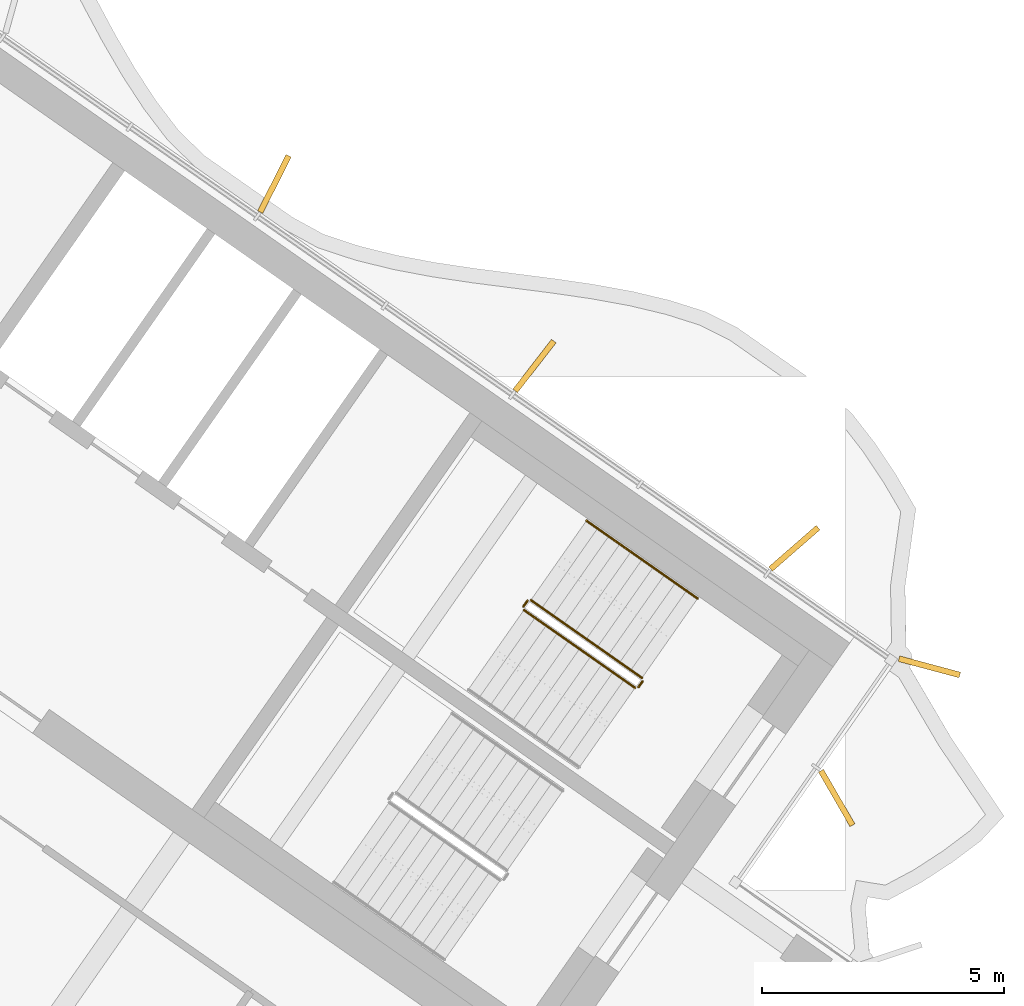
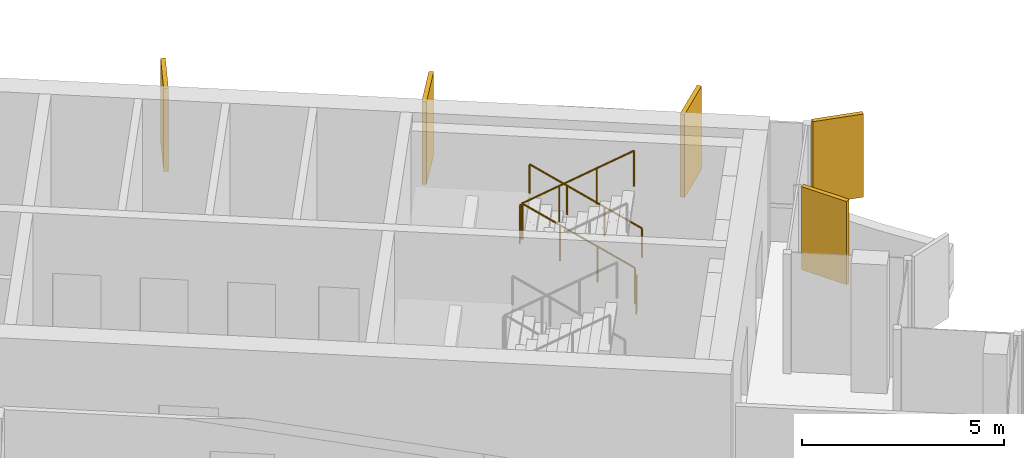
# One storey, part 16 of 17: 5 railings, 5 shading devices.
"""IFC4 building model written with IfcOpenShell, lengths in metres."""

from ifc_helpers import new_model, si_unit, direction, frame, origin, origin_2d, place, context, subcontext, project, spatial, rectangle, circle, extrude, material, layer, layer_set, type_object, element, save


model = new_model("IFC4")

# Units and contexts
model_context = context("Model", 3, precision=1e-05, world=origin(), true_north=direction((0.0, 1.0)))
body_context = subcontext(model_context, "Body", "Model", "MODEL_VIEW")
ifc_project = project(units=[si_unit("LENGTHUNIT", "METRE"), si_unit("AREAUNIT", "SQUARE_METRE"), si_unit("VOLUMEUNIT", "CUBIC_METRE"), si_unit("PLANEANGLEUNIT", "RADIAN"), si_unit("MASSUNIT", "GRAM", prefix="KILO")], contexts=[model_context])

# Site, building, storey
site_placement = place(None, origin())
site = spatial("IfcSite", under=ifc_project, at=site_placement, CompositionType="ELEMENT")
building_placement = place(site_placement, origin())
building = spatial("IfcBuilding", under=site, at=building_placement, Name="Tel Ilan Convention Tower", CompositionType="ELEMENT")
storey_placement = place(building_placement, frame((0.0, 0.0, 291.699951171875)))
storey = spatial("IfcBuildingStorey", under=building, at=storey_placement, Name="L69", CompositionType="ELEMENT", Elevation=291.699951171875)

# Shading devices
ifc_material_1 = material(Name="Aluminium, bronze anodised", Category="aluminium")
ifc_layer = layer(ifc_material_1, 0.1201171875)
ifc_layer_set = layer_set([ifc_layer], Name="FIN BRONZE 1300x120")
shading_device_type = type_object("IfcShadingDeviceType", Name="FIN BRONZE 1300x120", PredefinedType="USERDEFINED", material=ifc_layer_set)
for number, where, z_axis, x_axis, name in (
    (1, (27.6982421875, -10.329833984375, 1.10009765625), (0.0, 0.0, 1.0), (0.5, -0.866025403784, 0.0), "FIN"),
    (2, (29.611083984375, -7.623046875, 1.10009765625), (0.0, 0.0, 1.0), (0.965925826289, -0.258819045103, 0.0), "FIN"),
    (3, (26.823974609375, -5.177001953125, 1.10009765625), (0.0, 0.0, 1.0), (0.753435896329, 0.657521368568, 0.0), "FIN"),
    (4, (21.46044921875, -1.4130859375, 1.10009765625), (0.0, 0.0, 1.0), (0.612600545196, 0.790392669516, 0.0), "FIN"),
    (5, (16.092041015625, 2.345458984375, 1.10009765625), (0.0, 0.0, 1.0), (0.448799180206, 0.893632640321, 0.0), "FIN"),
):
    element("IfcShadingDevice", number, at=place(storey_placement, frame(where, z_axis=z_axis, x_axis=x_axis)), inside=storey, type_object=shading_device_type, Name=name, ObjectType="FIN", PredefinedType="USERDEFINED", context=body_context, shape_type="SweptSolid", body=[
        extrude(rectangle(XDim=1.300048828125, YDim=0.1201171875, at=origin_2d()), origin(), (0.0, 0.0, 1.0), 2.52001953125),
    ])

# Railings
ifc_material_2 = material(Name="Stainless Steel Grade 316", Category="steel")
railing_type_1 = type_object("IfcRailingType", Name="Stainless Steel Stair Guard 1100 mm", PredefinedType="GUARDRAIL", material=ifc_material_2)
railing_1_placement = place(storey_placement, frame((23.6787109375, -7.8515625, 0.17724609375)))
element("IfcRailing", 6, at=railing_1_placement, inside=storey, type_object=railing_type_1, Name="L69 S3 stair guard 1", PredefinedType="GUARDRAIL", context=body_context, shape_type="SweptSolid", body=[
    extrude(circle(Radius=0.02392578125, at=origin_2d()), frame((0.0, 0.0, 1.076171875), z_axis=(-0.692084706163, 0.484621375041, 0.534940073605), x_axis=(-0.573591086599, -0.819141785879, 0.0)), (0.0, 0.0, 1.0), 3.313720703125),
    extrude(circle(Radius=0.02099609375, at=origin_2d()), origin(), (0.0, 0.0, 1.0), 1.052001953125),
    extrude(circle(Radius=0.02099609375, at=origin_2d()), frame((-0.764404296875, 0.535400390625, 0.5908203125)), (0.0, 0.0, 1.0), 1.052001953125),
    extrude(circle(Radius=0.02099609375, at=origin_2d()), frame((-1.529052734375, 1.070556640625, 1.181884765625)), (0.0, 0.0, 1.0), 1.052001953125),
    extrude(circle(Radius=0.02099609375, at=origin_2d()), frame((-2.29345703125, 1.60595703125, 1.772705078125)), (0.0, 0.0, 1.0), 1.052001953125),
])
railing_2_placement = place(storey_placement, frame((21.3154296875, -6.2578125, 1.949951171875)))
element("IfcRailing", 7, at=railing_2_placement, inside=storey, type_object=railing_type_1, Name="L69 S3 stair guard 2", PredefinedType="GUARDRAIL", context=body_context, shape_type="SweptSolid", body=[
    extrude(circle(Radius=0.02392578125, at=origin_2d()), frame((0.0, 0.0, 1.076171875), z_axis=(-0.573353020881, -0.819308436089, 0.0), x_axis=(0.819308436089, -0.573353020881, 0.0)), (0.0, 0.0, 1.0), 0.14990234375),
    extrude(circle(Radius=0.02099609375, at=origin_2d()), origin(), (0.0, 0.0, 1.0), 1.052001953125),
    extrude(circle(Radius=0.02099609375, at=origin_2d()), frame((-0.0859375, -0.122802734375, 0.0)), (0.0, 0.0, 1.0), 1.052001953125),
])
railing_3_placement = place(storey_placement, frame((21.24169921875, -6.4501953125, 2.12744140625)))
element("IfcRailing", 8, at=railing_3_placement, inside=storey, type_object=railing_type_1, Name="L69 S3 stair guard 3", PredefinedType="GUARDRAIL", context=body_context, shape_type="SweptSolid", body=[
    extrude(circle(Radius=0.02392578125, at=origin_2d()), frame((0.0, 0.0, 1.076171875), z_axis=(0.692098378994, -0.484653031975, 0.534893701956), x_axis=(0.573608623498, 0.819129505664, 0.0)), (0.0, 0.0, 1.0), 3.314208984375),
    extrude(circle(Radius=0.02099609375, at=origin_2d()), origin(), (0.0, 0.0, 1.0), 1.052001953125),
    extrude(circle(Radius=0.02099609375, at=origin_2d()), frame((0.7646484375, -0.535400390625, 0.5908203125)), (0.0, 0.0, 1.0), 1.052001953125),
    extrude(circle(Radius=0.02099609375, at=origin_2d()), frame((1.529052734375, -1.07080078125, 1.181884765625)), (0.0, 0.0, 1.0), 1.052001953125),
    extrude(circle(Radius=0.02099609375, at=origin_2d()), frame((2.293701171875, -1.606201171875, 1.772705078125)), (0.0, 0.0, 1.0), 1.052001953125),
])
railing_4_placement = place(storey_placement, frame((23.691162109375, -7.921142578125, 0.0)))
element("IfcRailing", 9, at=railing_4_placement, inside=storey, type_object=railing_type_1, Name="L69 S3 stair guard 4", PredefinedType="GUARDRAIL", context=body_context, shape_type="SweptSolid", body=[
    extrude(circle(Radius=0.02392578125, at=origin_2d()), frame((0.0, 0.0, 1.076171875), z_axis=(-0.574444878118, -0.818543268254, 0.0), x_axis=(0.818543268254, -0.574444878118, 0.0)), (0.0, 0.0, 1.0), 0.150146484375),
    extrude(circle(Radius=0.02099609375, at=origin_2d()), origin(), (0.0, 0.0, 1.0), 1.052001953125),
    extrude(circle(Radius=0.02099609375, at=origin_2d()), frame((-0.086181640625, -0.122802734375, 0.0)), (0.0, 0.0, 1.0), 1.052001953125),
])
ifc_material_3 = material(Name="Stainless Steel Grade 316", Category="steel")
railing_type_2 = type_object("IfcRailingType", Name="Stainless Steel Stair Handrail 900 mm", PredefinedType="HANDRAIL", material=ifc_material_3)
railing_5_placement = place(storey_placement, frame((24.825927734375, -6.213134765625, 0.17724609375)))
element("IfcRailing", 10, at=railing_5_placement, inside=storey, type_object=railing_type_2, Name="L69 S3 stair handrail 1", PredefinedType="HANDRAIL", context=body_context, shape_type="SweptSolid", body=[
    extrude(circle(Radius=0.02392578125, at=origin_2d()), frame((0.0, 0.0, 0.8759765625), z_axis=(-0.692123088272, 0.484596665743, 0.534912798717), x_axis=(-0.573550118428, -0.819170471667, 0.0)), (0.0, 0.0, 1.0), 3.31396484375),
    extrude(circle(Radius=0.02099609375, at=origin_2d()), origin(), (0.0, 0.0, 1.0), 0.851806640625),
    extrude(circle(Radius=0.02099609375, at=origin_2d()), frame((-0.7646484375, 0.535400390625, 0.5908203125)), (0.0, 0.0, 1.0), 0.851806640625),
    extrude(circle(Radius=0.02099609375, at=origin_2d()), frame((-1.529052734375, 1.070556640625, 1.181884765625)), (0.0, 0.0, 1.0), 0.851806640625),
    extrude(circle(Radius=0.02099609375, at=origin_2d()), frame((-2.293701171875, 1.60595703125, 1.772705078125)), (0.0, 0.0, 1.0), 0.851806640625),
])

save(model, "model.ifc")
